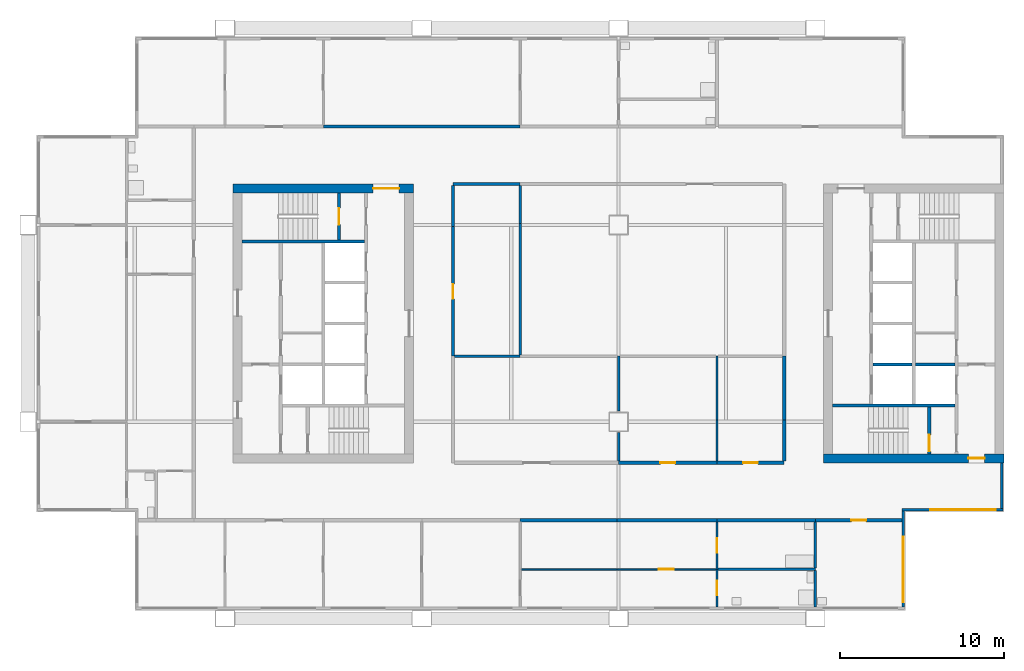
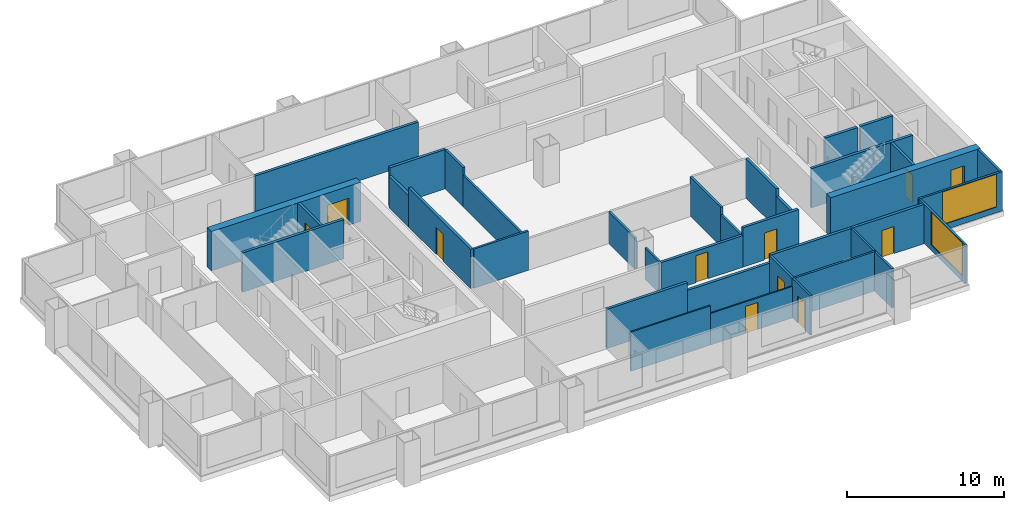
# One storey, part 4 of 8: 37 walls, 11 doors, 2 windows, 13 openings.
"""IFC4 building model written with IfcOpenShell, lengths in metres."""

from ifc_helpers import new_model, si_unit, direction, frame, frame_2d, origin, place, context, subcontext, project, spatial, rectangle, extrude, material, layer, layer_set, type_object, element, fill, save


model = new_model("IFC4")

# Units and contexts
model_context = context("Model", 3, precision=1e-05, world=origin(), true_north=direction((0.0, 1.0)))
body_context = subcontext(model_context, "Body", "Model", "MODEL_VIEW")
ifc_project = project(units=[si_unit("LENGTHUNIT", "METRE"), si_unit("AREAUNIT", "SQUARE_METRE"), si_unit("VOLUMEUNIT", "CUBIC_METRE"), si_unit("PLANEANGLEUNIT", "RADIAN"), si_unit("MASSUNIT", "GRAM", prefix="KILO")], contexts=[model_context])

# Site, building, storey
site_placement = place(None, origin())
site = spatial("IfcSite", under=ifc_project, at=site_placement, CompositionType="ELEMENT")
building_placement = place(site_placement, origin())
building = spatial("IfcBuilding", under=site, at=building_placement, Name="Kitamizu Gate Tower and Museum", CompositionType="ELEMENT")
storey_placement = place(building_placement, frame((0.0, 0.0, 189.300048828125)))
storey = spatial("IfcBuildingStorey", under=building, at=storey_placement, Name="L50", CompositionType="ELEMENT", Elevation=189.300048828125)

# Wall, opening, door
ifc_material_1 = material(Name="Concrete Fc42", Category="concrete")
ifc_layer_1 = layer(ifc_material_1, 0.550048828125)
ifc_layer_set_1 = layer_set([ifc_layer_1], Name="Concrete Fc42")
wall_type_1 = type_object("IfcWallType", Name="Core wall 550", PredefinedType="SHEAR", material=ifc_layer_set_1)
wall_1_placement = place(storey_placement, frame((12.5, 38.22509765625, 0.0), z_axis=(0.0, 0.0, 1.0), x_axis=(1.0, 0.0, 0.0)))
wall_1 = element("IfcWall", 1, at=wall_1_placement, inside=storey, type_object=wall_type_1, Name="Core wall WN", PredefinedType="SHEAR", context=body_context, shape_type="SweptSolid", body=[
    extrude(rectangle(XDim=11.0, YDim=0.550048828125, at=frame_2d((5.5, 0.0))), origin(), (0.0, 0.0, 1.0), 3.050048828125),
])
opening_1_placement = place(wall_1_placement, frame((8.52490234375, 0.0, 0.0)))
opening_1 = element("IfcOpeningElement", 2, at=opening_1_placement, cuts=wall_1, Name="Opening L50-037", PredefinedType="OPENING", context=body_context, shape_type="SweptSolid", body=[
    extrude(rectangle(XDim=1.60009765625, YDim=2.10009765625, at=frame_2d((0.800048828125, 1.050048828125))), frame((0.0, 0.28515625, 0.0), z_axis=(0.0, -1.0, 0.0), x_axis=(1.0, 0.0, 0.0)), (0.0, 0.0, 1.0), 0.570068359375),
])
ifc_material_2 = material(Name="Timber door set", Category="wood")
door_type_1 = type_object("IfcDoorType", Name="Entrance door 1600", OperationType="DOUBLE_DOOR_SINGLE_SWING", PredefinedType="DOOR", material=ifc_material_2)
door_1_placement = place(opening_1_placement, origin())
door_1 = element("IfcDoor", 3, at=door_1_placement, inside=storey, type_object=door_type_1, Name="Lobby door L50-037", OperationType="DOUBLE_DOOR_SINGLE_SWING", OverallHeight=2.10009765625, OverallWidth=1.60009765625, PredefinedType="DOOR", context=body_context, shape_type="SweptSolid", body=[
    extrude(rectangle(XDim=1.60009765625, YDim=2.10009765625, at=frame_2d((0.800048828125, 1.050048828125))), frame((0.0, 0.02490234375, 0.0), z_axis=(0.0, -1.0, 0.0), x_axis=(1.0, 0.0, 0.0)), (0.0, 0.0, 1.0), 0.050048828125),
])
fill(opening_1, door_1)

wall_2_placement = place(storey_placement, frame((59.5, 21.77490234375, 0.0), z_axis=(0.0, 0.0, 1.0), x_axis=(-1.0, 0.0, 0.0)))
wall_2 = element("IfcWall", 4, at=wall_2_placement, inside=storey, type_object=wall_type_1, Name="Core wall ES", PredefinedType="SHEAR", context=body_context, shape_type="SweptSolid", body=[
    extrude(rectangle(XDim=11.0, YDim=0.550048828125, at=frame_2d((5.5, 0.0))), origin(), (0.0, 0.0, 1.0), 3.050048828125),
])
opening_2_placement = place(wall_2_placement, frame((1.175048828125, 0.0, 0.0)))
opening_2 = element("IfcOpeningElement", 5, at=opening_2_placement, cuts=wall_2, Name="Opening L50-046", PredefinedType="OPENING", context=body_context, shape_type="SweptSolid", body=[
    extrude(rectangle(XDim=1.0, YDim=2.10009765625, at=frame_2d((0.5, 1.050048828125))), frame((0.0, 0.28515625, 0.0), z_axis=(0.0, -1.0, 0.0), x_axis=(1.0, 0.0, 0.0)), (0.0, 0.0, 1.0), 0.570068359375),
])
ifc_material_3 = material(Name="Hollow metal door set")
door_type_2 = type_object("IfcDoorType", Name="Fire door 1000", OperationType="NOTDEFINED", PredefinedType="DOOR", material=ifc_material_3)
door_2_placement = place(opening_2_placement, frame((1.0, 0.0, 0.0), x_axis=(-1.0, 0.0, 0.0)))
door_2 = element("IfcDoor", 6, at=door_2_placement, inside=storey, type_object=door_type_2, Name="Fire-fighting lobby door L50-046", OperationType="SINGLE_SWING_LEFT", OverallHeight=2.10009765625, OverallWidth=1.0, PredefinedType="DOOR", context=body_context, shape_type="SweptSolid", body=[
    extrude(rectangle(XDim=1.0, YDim=2.10009765625, at=frame_2d((0.5, 1.050048828125))), frame((0.0, 0.02490234375, 0.0), z_axis=(0.0, -1.0, 0.0), x_axis=(1.0, 0.0, 0.0)), (0.0, 0.0, 1.0), 0.050048828125),
])
fill(opening_2, door_2)

ifc_material_4 = material(Name="Gypsum board on galvanised stud")
ifc_layer_2 = layer(ifc_material_4, 0.10009765625)
ifc_layer_set_2 = layer_set([ifc_layer_2], Name="Gypsum board on galvanised stud")
wall_type_2 = type_object("IfcWallType", Name="Partition 100 NOT RATED", PredefinedType="PARTITIONING", material=ifc_layer_set_2)
wall_3_placement = place(storey_placement, frame((41.925048828125, 15.0, 0.0), z_axis=(0.0, 0.0, 1.0), x_axis=(-1.0, 0.0, 0.0)))
wall_3 = element("IfcWall", 7, at=wall_3_placement, inside=storey, type_object=wall_type_2, Name="Partition L50-012", PredefinedType="PARTITIONING", context=body_context, shape_type="SweptSolid", body=[
    extrude(rectangle(XDim=6.025146484375, YDim=0.10009765625, at=frame_2d((3.0126953125, 0.0))), origin(), (0.0, 0.0, 1.0), 2.449951171875),
])
opening_3_placement = place(wall_3_placement, frame((2.5625, 0.0, 0.0)))
opening_3 = element("IfcOpeningElement", 8, at=opening_3_placement, cuts=wall_3, Name="Opening L50-006", PredefinedType="OPENING", context=body_context, shape_type="SweptSolid", body=[
    extrude(rectangle(XDim=0.89990234375, YDim=2.10009765625, at=frame_2d((0.449951171875, 1.050048828125))), frame((0.0, 0.06005859375, 0.0), z_axis=(0.0, -1.0, 0.0), x_axis=(1.0, 0.0, 0.0)), (0.0, 0.0, 1.0), 0.1201171875),
])
ifc_material_5 = material(Name="Timber door set", Category="wood")
door_type_3 = type_object("IfcDoorType", Name="Room door 900", OperationType="NOTDEFINED", PredefinedType="DOOR", material=ifc_material_5)
door_3_placement = place(opening_3_placement, origin())
door_3 = element("IfcDoor", 9, at=door_3_placement, inside=storey, type_object=door_type_3, Name="Door L50-006", OperationType="SINGLE_SWING_LEFT", OverallHeight=2.10009765625, OverallWidth=0.89990234375, PredefinedType="DOOR", context=body_context, shape_type="SweptSolid", body=[
    extrude(rectangle(XDim=0.89990234375, YDim=2.10009765625, at=frame_2d((0.449951171875, 1.050048828125))), frame((0.0, 0.02490234375, 0.0), z_axis=(0.0, -1.0, 0.0), x_axis=(1.0, 0.0, 0.0)), (0.0, 0.0, 1.0), 0.050048828125),
])
fill(opening_3, door_3)

# Wall
wall_4_placement = place(storey_placement, frame((35.89990234375, 15.0, 0.0), z_axis=(0.0, 0.0, 1.0), x_axis=(-1.0, 0.0, 0.0)))
element("IfcWall", 10, at=wall_4_placement, inside=storey, type_object=wall_type_2, Name="Partition L50-013", PredefinedType="PARTITIONING", context=body_context, shape_type="SweptSolid", body=[
    extrude(rectangle(XDim=5.849853515625, YDim=0.10009765625, at=frame_2d((2.9248046875, 0.0))), origin(), (0.0, 0.0, 1.0), 3.050048828125),
])

# Wall, opening, door
ifc_material_6 = material(Name="Gypsum board on galvanised stud")
ifc_layer_3 = layer(ifc_material_6, 0.14990234375)
ifc_layer_set_3 = layer_set([ifc_layer_3], Name="Gypsum board on galvanised stud")
wall_type_3 = type_object("IfcWallType", Name="Partition 150", PredefinedType="PARTITIONING", material=ifc_layer_set_3)
wall_5_placement = place(storey_placement, frame((42.0, 12.719970703125, 0.0), z_axis=(0.0, 0.0, 1.0), x_axis=(0.0, 1.0, 0.0)))
wall_5 = element("IfcWall", 11, at=wall_5_placement, inside=storey, type_object=wall_type_3, Name="Partition L50-014", PredefinedType="PARTITIONING", context=body_context, shape_type="SweptSolid", body=[
    extrude(rectangle(XDim=2.280029296875, YDim=0.14990234375, at=frame_2d((1.14013671875, 0.0))), origin(), (0.0, 0.0, 1.0), 3.050048828125),
])
opening_4_placement = place(wall_5_placement, frame((0.68994140625, 0.0, 0.0)))
opening_4 = element("IfcOpeningElement", 12, at=opening_4_placement, cuts=wall_5, Name="Opening L50-007", PredefinedType="OPENING", context=body_context, shape_type="SweptSolid", body=[
    extrude(rectangle(XDim=0.89990234375, YDim=2.10009765625, at=frame_2d((0.449951171875, 1.050048828125))), frame((0.0, 0.0849609375, 0.0), z_axis=(0.0, -1.0, 0.0), x_axis=(1.0, 0.0, 0.0)), (0.0, 0.0, 1.0), 0.169921875),
])
ifc_material_7 = material(Name="Timber door set", Category="wood")
door_type_4 = type_object("IfcDoorType", Name="Bathroom door 900", OperationType="NOTDEFINED", PredefinedType="DOOR", material=ifc_material_7)
door_4_placement = place(opening_4_placement, frame((0.89990234375, 0.0, 0.0), x_axis=(-1.0, 0.0, 0.0)))
door_4 = element("IfcDoor", 13, at=door_4_placement, inside=storey, type_object=door_type_4, Name="Bathroom door L50-007", OperationType="SINGLE_SWING_LEFT", OverallHeight=2.10009765625, OverallWidth=0.89990234375, PredefinedType="DOOR", context=body_context, shape_type="SweptSolid", body=[
    extrude(rectangle(XDim=0.89990234375, YDim=2.10009765625, at=frame_2d((0.449951171875, 1.050048828125))), frame((0.0, 0.02490234375, 0.0), z_axis=(0.0, -1.0, 0.0), x_axis=(1.0, 0.0, 0.0)), (0.0, 0.0, 1.0), 0.050048828125),
])
fill(opening_4, door_4)

wall_6_placement = place(storey_placement, frame((42.0, 15.0, 0.0), z_axis=(0.0, 0.0, 1.0), x_axis=(0.0, 1.0, 0.0)))
wall_6 = element("IfcWall", 14, at=wall_6_placement, inside=storey, type_object=wall_type_3, Name="Partition L50-015", PredefinedType="PARTITIONING", context=body_context, shape_type="SweptSolid", body=[
    extrude(rectangle(XDim=2.89990234375, YDim=0.14990234375, at=frame_2d((1.449951171875, 0.0))), origin(), (0.0, 0.0, 1.0), 3.050048828125),
])
opening_5_placement = place(wall_6_placement, frame((1.0, 0.0, 0.0)))
opening_5 = element("IfcOpeningElement", 15, at=opening_5_placement, cuts=wall_6, Name="Opening L50-008", PredefinedType="OPENING", context=body_context, shape_type="SweptSolid", body=[
    extrude(rectangle(XDim=0.89990234375, YDim=2.10009765625, at=frame_2d((0.449951171875, 1.050048828125))), frame((0.0, 0.0849609375, 0.0), z_axis=(0.0, -1.0, 0.0), x_axis=(1.0, 0.0, 0.0)), (0.0, 0.0, 1.0), 0.169921875),
])
door_5_placement = place(opening_5_placement, frame((0.89990234375, 0.0, 0.0), x_axis=(-1.0, 0.0, 0.0)))
door_5 = element("IfcDoor", 16, at=door_5_placement, inside=storey, type_object=door_type_4, Name="Bathroom door L50-008", OperationType="SINGLE_SWING_RIGHT", OverallHeight=2.10009765625, OverallWidth=0.89990234375, PredefinedType="DOOR", context=body_context, shape_type="SweptSolid", body=[
    extrude(rectangle(XDim=0.89990234375, YDim=2.10009765625, at=frame_2d((0.449951171875, 1.050048828125))), frame((0.0, 0.02490234375, 0.0), z_axis=(0.0, -1.0, 0.0), x_axis=(1.0, 0.0, 0.0)), (0.0, 0.0, 1.0), 0.050048828125),
])
fill(opening_5, door_5)

# Walls
wall_7_placement = place(storey_placement, frame((48.0, 15.0, 0.0), z_axis=(0.0, 0.0, 1.0), x_axis=(-1.0, 0.0, 0.0)))
element("IfcWall", 17, at=wall_7_placement, inside=storey, type_object=wall_type_3, Name="Partition L50-018", PredefinedType="PARTITIONING", context=body_context, shape_type="SweptSolid", body=[
    extrude(rectangle(XDim=5.925048828125, YDim=0.14990234375, at=frame_2d((2.96240234375, 0.0))), origin(), (0.0, 0.0, 1.0), 3.050048828125),
])
wall_8_placement = place(storey_placement, frame((48.0, 12.719970703125, 0.0), z_axis=(0.0, 0.0, 1.0), x_axis=(0.0, 1.0, 0.0)))
element("IfcWall", 18, at=wall_8_placement, inside=storey, type_object=wall_type_3, Name="Partition L50-019", PredefinedType="PARTITIONING", context=body_context, shape_type="SweptSolid", body=[
    extrude(rectangle(XDim=2.205078125, YDim=0.14990234375, at=frame_2d((1.1025390625, 0.0))), origin(), (0.0, 0.0, 1.0), 3.050048828125),
])
wall_9_placement = place(storey_placement, frame((48.0, 15.074951171875, 0.0), z_axis=(0.0, 0.0, 1.0), x_axis=(0.0, 1.0, 0.0)))
element("IfcWall", 19, at=wall_9_placement, inside=storey, type_object=wall_type_3, Name="Partition L50-020", PredefinedType="PARTITIONING", context=body_context, shape_type="SweptSolid", body=[
    extrude(rectangle(XDim=2.824951171875, YDim=0.14990234375, at=frame_2d((1.41259765625, 0.0))), origin(), (0.0, 0.0, 1.0), 3.050048828125),
])
wall_10_placement = place(storey_placement, frame((36.0, 21.60009765625, 0.0), z_axis=(0.0, 0.0, 1.0), x_axis=(0.0, 1.0, 0.0)))
element("IfcWall", 20, at=wall_10_placement, inside=storey, type_object=wall_type_3, Name="Partition L50-071", PredefinedType="PARTITIONING", context=body_context, shape_type="SweptSolid", body=[
    extrude(rectangle(XDim=1.75, YDim=0.14990234375, at=frame_2d((0.875, 0.0))), origin(), (0.0, 0.0, 1.0), 2.449951171875),
])
wall_11_placement = place(storey_placement, frame((36.0, 24.64990234375, 0.0), z_axis=(0.0, 0.0, 1.0), x_axis=(0.0, 1.0, 0.0)))
element("IfcWall", 21, at=wall_11_placement, inside=storey, type_object=wall_type_3, Name="Partition L50-072", PredefinedType="PARTITIONING", context=body_context, shape_type="SweptSolid", body=[
    extrude(rectangle(XDim=3.35009765625, YDim=0.14990234375, at=frame_2d((1.675048828125, 0.0))), origin(), (0.0, 0.0, 1.0), 2.449951171875),
])
wall_12_placement = place(storey_placement, frame((30.0, 28.0, 0.0), z_axis=(0.0, 0.0, 1.0), x_axis=(-1.0, 0.0, 0.0)))
element("IfcWall", 22, at=wall_12_placement, inside=storey, type_object=wall_type_3, Name="Partition L50-073", PredefinedType="PARTITIONING", context=body_context, shape_type="SweptSolid", body=[
    extrude(rectangle(XDim=4.0, YDim=0.14990234375, at=frame_2d((2.0, 0.0))), origin(), (0.0, 0.0, 1.0), 3.050048828125),
])
wall_13_placement = place(storey_placement, frame((42.0, 21.60009765625, 0.0), z_axis=(0.0, 0.0, 1.0), x_axis=(0.0, 1.0, 0.0)))
element("IfcWall", 23, at=wall_13_placement, inside=storey, type_object=wall_type_3, Name="Partition L50-075", PredefinedType="PARTITIONING", context=body_context, shape_type="SweptSolid", body=[
    extrude(rectangle(XDim=2.5, YDim=0.14990234375, at=frame_2d((1.25, 0.0))), origin(), (0.0, 0.0, 1.0), 2.449951171875),
])
wall_14_placement = place(storey_placement, frame((42.0, 24.10009765625, 0.0), z_axis=(0.0, 0.0, 1.0), x_axis=(0.0, 1.0, 0.0)))
element("IfcWall", 24, at=wall_14_placement, inside=storey, type_object=wall_type_3, Name="Partition L50-076", PredefinedType="PARTITIONING", context=body_context, shape_type="SweptSolid", body=[
    extrude(rectangle(XDim=3.89990234375, YDim=0.14990234375, at=frame_2d((1.949951171875, 0.0))), origin(), (0.0, 0.0, 1.0), 3.050048828125),
])
wall_15_placement = place(storey_placement, frame((30.0, 28.074951171875, 0.0), z_axis=(0.0, 0.0, 1.0), x_axis=(0.0, 1.0, 0.0)))
element("IfcWall", 25, at=wall_15_placement, inside=storey, type_object=wall_type_3, Name="Partition L50-079", PredefinedType="PARTITIONING", context=body_context, shape_type="SweptSolid", body=[
    extrude(rectangle(XDim=8.025146484375, YDim=0.14990234375, at=frame_2d((4.0126953125, 0.0))), origin(), (0.0, 0.0, 1.0), 2.449951171875),
])
wall_16_placement = place(storey_placement, frame((30.0, 36.10009765625, 0.0), z_axis=(0.0, 0.0, 1.0), x_axis=(0.0, 1.0, 0.0)))
element("IfcWall", 26, at=wall_16_placement, inside=storey, type_object=wall_type_3, Name="Partition L50-080", PredefinedType="PARTITIONING", context=body_context, shape_type="SweptSolid", body=[
    extrude(rectangle(XDim=2.2998046875, YDim=0.14990234375, at=frame_2d((1.14990234375, 0.0))), origin(), (0.0, 0.0, 1.0), 3.050048828125),
])
ifc_material_8 = material(Name="Gypsum board on galvanised stud")
ifc_layer_4 = layer(ifc_material_8, 0.199951171875)
ifc_layer_set_4 = layer_set([ifc_layer_4], Name="Gypsum board on galvanised stud")
wall_type_4 = type_object("IfcWallType", Name="Partition 200", PredefinedType="PARTITIONING", material=ifc_layer_set_4)
wall_17_placement = place(storey_placement, frame((42.0, 18.0, 0.0), z_axis=(0.0, 0.0, 1.0), x_axis=(-1.0, 0.0, 0.0)))
element("IfcWall", 27, at=wall_17_placement, inside=storey, type_object=wall_type_4, Name="Partition L50-016", PredefinedType="PARTITIONING", context=body_context, shape_type="SweptSolid", body=[
    extrude(rectangle(XDim=6.10009765625, YDim=0.199951171875, at=frame_2d((3.050048828125, 0.0))), origin(), (0.0, 0.0, 1.0), 2.449951171875),
])
wall_18_placement = place(storey_placement, frame((35.89990234375, 18.0, 0.0), z_axis=(0.0, 0.0, 1.0), x_axis=(-1.0, 0.0, 0.0)))
element("IfcWall", 28, at=wall_18_placement, inside=storey, type_object=wall_type_4, Name="Partition L50-017", PredefinedType="PARTITIONING", context=body_context, shape_type="SweptSolid", body=[
    extrude(rectangle(XDim=5.89990234375, YDim=0.199951171875, at=frame_2d((2.949951171875, 0.0))), origin(), (0.0, 0.0, 1.0), 3.050048828125),
])
wall_19_placement = place(storey_placement, frame((48.0, 18.0, 0.0), z_axis=(0.0, 0.0, 1.0), x_axis=(-1.0, 0.0, 0.0)))
element("IfcWall", 29, at=wall_19_placement, inside=storey, type_object=wall_type_4, Name="Partition L50-021", PredefinedType="PARTITIONING", context=body_context, shape_type="SweptSolid", body=[
    extrude(rectangle(XDim=6.0, YDim=0.199951171875, at=frame_2d((3.0, 0.0))), origin(), (0.0, 0.0, 1.0), 3.050048828125),
])

# Wall, opening, door
wall_20_placement = place(storey_placement, frame((53.280029296875, 18.0, 0.0), z_axis=(0.0, 0.0, 1.0), x_axis=(-1.0, 0.0, 0.0)))
wall_20 = element("IfcWall", 30, at=wall_20_placement, inside=storey, type_object=wall_type_4, Name="Partition L50-022", PredefinedType="PARTITIONING", context=body_context, shape_type="SweptSolid", body=[
    extrude(rectangle(XDim=5.280029296875, YDim=0.199951171875, at=frame_2d((2.64013671875, 0.0))), origin(), (0.0, 0.0, 1.0), 3.050048828125),
])
opening_6_placement = place(wall_20_placement, frame((2.18994140625, 0.0, 0.0)))
opening_6 = element("IfcOpeningElement", 31, at=opening_6_placement, cuts=wall_20, Name="Opening L50-009", PredefinedType="OPENING", context=body_context, shape_type="SweptSolid", body=[
    extrude(rectangle(XDim=0.89990234375, YDim=2.10009765625, at=frame_2d((0.449951171875, 1.050048828125))), frame((0.0, 0.10986328125, 0.0), z_axis=(0.0, -1.0, 0.0), x_axis=(1.0, 0.0, 0.0)), (0.0, 0.0, 1.0), 0.219970703125),
])
ifc_material_9 = material(Name="Timber door set", Category="wood")
door_type_5 = type_object("IfcDoorType", Name="Store door 900", OperationType="NOTDEFINED", PredefinedType="DOOR", material=ifc_material_9)
door_6_placement = place(opening_6_placement, origin())
door_6 = element("IfcDoor", 32, at=door_6_placement, inside=storey, type_object=door_type_5, Name="Service entrance door L50-009", OperationType="SINGLE_SWING_RIGHT", OverallHeight=2.10009765625, OverallWidth=0.89990234375, PredefinedType="DOOR", context=body_context, shape_type="SweptSolid", body=[
    extrude(rectangle(XDim=0.89990234375, YDim=2.10009765625, at=frame_2d((0.449951171875, 1.050048828125))), frame((0.0, 0.02490234375, 0.0), z_axis=(0.0, -1.0, 0.0), x_axis=(1.0, 0.0, 0.0)), (0.0, 0.0, 1.0), 0.050048828125),
])
fill(opening_6, door_6)

# Wall
wall_21_placement = place(storey_placement, frame((18.0, 42.0, 0.0), z_axis=(0.0, 0.0, 1.0), x_axis=(1.0, 0.0, 0.0)))
element("IfcWall", 33, at=wall_21_placement, inside=storey, type_object=wall_type_4, Name="Partition L50-029", PredefinedType="PARTITIONING", context=body_context, shape_type="SweptSolid", body=[
    extrude(rectangle(XDim=12.0, YDim=0.199951171875, at=frame_2d((6.0, 0.0))), origin(), (0.0, 0.0, 1.0), 3.050048828125),
])

# Wall, opening, door
wall_22_placement = place(storey_placement, frame((36.0, 21.5, 0.0), z_axis=(0.0, 0.0, 1.0), x_axis=(1.0, 0.0, 0.0)))
wall_22 = element("IfcWall", 34, at=wall_22_placement, inside=storey, type_object=wall_type_4, Name="Partition L50-060", PredefinedType="PARTITIONING", context=body_context, shape_type="SweptSolid", body=[
    extrude(rectangle(XDim=6.0, YDim=0.199951171875, at=frame_2d((3.0, 0.0))), origin(), (0.0, 0.0, 1.0), 2.449951171875),
])
opening_7_placement = place(wall_22_placement, frame((2.550048828125, 0.0, 0.0)))
opening_7 = element("IfcOpeningElement", 35, at=opening_7_placement, cuts=wall_22, Name="Opening L50-026", PredefinedType="OPENING", context=body_context, shape_type="SweptSolid", body=[
    extrude(rectangle(XDim=0.89990234375, YDim=2.10009765625, at=frame_2d((0.449951171875, 1.050048828125))), frame((0.0, 0.10986328125, 0.0), z_axis=(0.0, -1.0, 0.0), x_axis=(1.0, 0.0, 0.0)), (0.0, 0.0, 1.0), 0.219970703125),
])
door_7_placement = place(opening_7_placement, origin())
door_7 = element("IfcDoor", 36, at=door_7_placement, inside=storey, type_object=door_type_3, Name="Door L50-026", OperationType="SINGLE_SWING_RIGHT", OverallHeight=2.10009765625, OverallWidth=0.89990234375, PredefinedType="DOOR", context=body_context, shape_type="SweptSolid", body=[
    extrude(rectangle(XDim=0.89990234375, YDim=2.10009765625, at=frame_2d((0.449951171875, 1.050048828125))), frame((0.0, 0.02490234375, 0.0), z_axis=(0.0, -1.0, 0.0), x_axis=(1.0, 0.0, 0.0)), (0.0, 0.0, 1.0), 0.050048828125),
])
fill(opening_7, door_7)

wall_23_placement = place(storey_placement, frame((42.0, 21.5, 0.0), z_axis=(0.0, 0.0, 1.0), x_axis=(1.0, 0.0, 0.0)))
wall_23 = element("IfcWall", 37, at=wall_23_placement, inside=storey, type_object=wall_type_4, Name="Partition L50-061", PredefinedType="PARTITIONING", context=body_context, shape_type="SweptSolid", body=[
    extrude(rectangle(XDim=4.10009765625, YDim=0.199951171875, at=frame_2d((2.050048828125, 0.0))), origin(), (0.0, 0.0, 1.0), 3.050048828125),
])
opening_8_placement = place(wall_23_placement, frame((1.60009765625, 0.0, 0.0)))
opening_8 = element("IfcOpeningElement", 38, at=opening_8_placement, cuts=wall_23, Name="Opening L50-027", PredefinedType="OPENING", context=body_context, shape_type="SweptSolid", body=[
    extrude(rectangle(XDim=0.89990234375, YDim=2.10009765625, at=frame_2d((0.449951171875, 1.050048828125))), frame((0.0, 0.10986328125, 0.0), z_axis=(0.0, -1.0, 0.0), x_axis=(1.0, 0.0, 0.0)), (0.0, 0.0, 1.0), 0.219970703125),
])
door_8_placement = place(opening_8_placement, origin())
door_8 = element("IfcDoor", 39, at=door_8_placement, inside=storey, type_object=door_type_3, Name="Door L50-027", OperationType="SINGLE_SWING_LEFT", OverallHeight=2.10009765625, OverallWidth=0.89990234375, PredefinedType="DOOR", context=body_context, shape_type="SweptSolid", body=[
    extrude(rectangle(XDim=0.89990234375, YDim=2.10009765625, at=frame_2d((0.449951171875, 1.050048828125))), frame((0.0, 0.02490234375, 0.0), z_axis=(0.0, -1.0, 0.0), x_axis=(1.0, 0.0, 0.0)), (0.0, 0.0, 1.0), 0.050048828125),
])
fill(opening_8, door_8)

# Walls
wall_24_placement = place(storey_placement, frame((46.10009765625, 21.60009765625, 0.0), z_axis=(0.0, 0.0, 1.0), x_axis=(0.0, 1.0, 0.0)))
element("IfcWall", 40, at=wall_24_placement, inside=storey, type_object=wall_type_4, Name="Partition L50-062", PredefinedType="PARTITIONING", context=body_context, shape_type="SweptSolid", body=[
    extrude(rectangle(XDim=2.5, YDim=0.199951171875, at=frame_2d((1.25, 0.0))), origin(), (0.0, 0.0, 1.0), 2.449951171875),
])
wall_25_placement = place(storey_placement, frame((46.10009765625, 24.10009765625, 0.0), z_axis=(0.0, 0.0, 1.0), x_axis=(0.0, 1.0, 0.0)))
element("IfcWall", 41, at=wall_25_placement, inside=storey, type_object=wall_type_4, Name="Partition L50-063", PredefinedType="PARTITIONING", context=body_context, shape_type="SweptSolid", body=[
    extrude(rectangle(XDim=3.89990234375, YDim=0.199951171875, at=frame_2d((1.949951171875, 0.0))), origin(), (0.0, 0.0, 1.0), 3.050048828125),
])
wall_26_placement = place(storey_placement, frame((30.0, 38.5, 0.0), z_axis=(0.0, 0.0, 1.0), x_axis=(-1.0, 0.0, 0.0)))
element("IfcWall", 42, at=wall_26_placement, inside=storey, type_object=wall_type_4, Name="Partition L50-064", PredefinedType="PARTITIONING", context=body_context, shape_type="SweptSolid", body=[
    extrude(rectangle(XDim=4.10009765625, YDim=0.199951171875, at=frame_2d((2.050048828125, 0.0))), origin(), (0.0, 0.0, 1.0), 3.050048828125),
])
wall_27_placement = place(storey_placement, frame((25.89990234375, 38.39990234375, 0.0), z_axis=(0.0, 0.0, 1.0), x_axis=(0.0, -1.0, 0.0)))
element("IfcWall", 43, at=wall_27_placement, inside=storey, type_object=wall_type_4, Name="Partition L50-065", PredefinedType="PARTITIONING", context=body_context, shape_type="SweptSolid", body=[
    extrude(rectangle(XDim=2.5, YDim=0.199951171875, at=frame_2d((1.25, 0.0))), origin(), (0.0, 0.0, 1.0), 2.449951171875),
])

# Wall, opening, door
wall_28_placement = place(storey_placement, frame((25.89990234375, 35.89990234375, 0.0), z_axis=(0.0, 0.0, 1.0), x_axis=(0.0, -1.0, 0.0)))
wall_28 = element("IfcWall", 44, at=wall_28_placement, inside=storey, type_object=wall_type_4, Name="Partition L50-066", PredefinedType="PARTITIONING", context=body_context, shape_type="SweptSolid", body=[
    extrude(rectangle(XDim=7.89990234375, YDim=0.199951171875, at=frame_2d((3.949951171875, 0.0))), origin(), (0.0, 0.0, 1.0), 3.050048828125),
])
opening_9_placement = place(wall_28_placement, frame((3.5, 0.0, 0.0)))
opening_9 = element("IfcOpeningElement", 45, at=opening_9_placement, cuts=wall_28, Name="Opening L50-028", PredefinedType="OPENING", context=body_context, shape_type="SweptSolid", body=[
    extrude(rectangle(XDim=0.89990234375, YDim=2.10009765625, at=frame_2d((0.449951171875, 1.050048828125))), frame((0.0, 0.10986328125, 0.0), z_axis=(0.0, -1.0, 0.0), x_axis=(1.0, 0.0, 0.0)), (0.0, 0.0, 1.0), 0.219970703125),
])
door_9_placement = place(opening_9_placement, origin())
door_9 = element("IfcDoor", 46, at=door_9_placement, inside=storey, type_object=door_type_3, Name="Door L50-028", OperationType="SINGLE_SWING_RIGHT", OverallHeight=2.10009765625, OverallWidth=0.89990234375, PredefinedType="DOOR", context=body_context, shape_type="SweptSolid", body=[
    extrude(rectangle(XDim=0.89990234375, YDim=2.10009765625, at=frame_2d((0.449951171875, 1.050048828125))), frame((0.0, 0.02490234375, 0.0), z_axis=(0.0, -1.0, 0.0), x_axis=(1.0, 0.0, 0.0)), (0.0, 0.0, 1.0), 0.050048828125),
])
fill(opening_9, door_9)

# Wall
ifc_material_10 = material(Name="Concrete Fc42", Category="concrete")
ifc_layer_5 = layer(ifc_material_10, 0.199951171875)
ifc_layer_set_5 = layer_set([ifc_layer_5], Name="Concrete Fc42")
wall_type_5 = type_object("IfcWallType", Name="Shaft wall 200", PredefinedType="SOLIDWALL", material=ifc_layer_set_5)
wall_29_placement = place(storey_placement, frame((13.050048828125, 35.0, 0.0), z_axis=(0.0, 0.0, 1.0), x_axis=(1.0, 0.0, 0.0)))
element("IfcWall", 47, at=wall_29_placement, inside=storey, type_object=wall_type_5, Name="Shaft wall WNB", PredefinedType="SOLIDWALL", context=body_context, shape_type="SweptSolid", body=[
    extrude(rectangle(XDim=7.449951171875, YDim=0.199951171875, at=frame_2d((3.72509765625, 0.0))), origin(), (0.0, 0.0, 1.0), 3.050048828125),
])

# Wall, opening, door
wall_30_placement = place(storey_placement, frame((18.949951171875, 35.10009765625, 0.0), z_axis=(0.0, 0.0, 1.0), x_axis=(0.0, 1.0, 0.0)))
wall_30 = element("IfcWall", 48, at=wall_30_placement, inside=storey, type_object=wall_type_5, Name="Shaft wall WNZ", PredefinedType="SOLIDWALL", context=body_context, shape_type="SweptSolid", body=[
    extrude(rectangle(XDim=2.849853515625, YDim=0.199951171875, at=frame_2d((1.4248046875, 0.0))), origin(), (0.0, 0.0, 1.0), 3.050048828125),
])
opening_10_placement = place(wall_30_placement, frame((0.925048828125, 0.0, 0.0)))
opening_10 = element("IfcOpeningElement", 49, at=opening_10_placement, cuts=wall_30, Name="Opening L50-033", PredefinedType="OPENING", context=body_context, shape_type="SweptSolid", body=[
    extrude(rectangle(XDim=1.0, YDim=2.10009765625, at=frame_2d((0.5, 1.050048828125))), frame((0.0, 0.10986328125, 0.0), z_axis=(0.0, -1.0, 0.0), x_axis=(1.0, 0.0, 0.0)), (0.0, 0.0, 1.0), 0.219970703125),
])
door_10_placement = place(opening_10_placement, origin())
door_10 = element("IfcDoor", 50, at=door_10_placement, inside=storey, type_object=door_type_2, Name="Stair door L50-033", OperationType="SINGLE_SWING_RIGHT", OverallHeight=2.10009765625, OverallWidth=1.0, PredefinedType="DOOR", context=body_context, shape_type="SweptSolid", body=[
    extrude(rectangle(XDim=1.0, YDim=2.10009765625, at=frame_2d((0.5, 1.050048828125))), frame((0.0, 0.02490234375, 0.0), z_axis=(0.0, -1.0, 0.0), x_axis=(1.0, 0.0, 0.0)), (0.0, 0.0, 1.0), 0.050048828125),
])
fill(opening_10, door_10)

# Wall
wall_31_placement = place(storey_placement, frame((56.5, 25.0, 0.0), z_axis=(0.0, 0.0, 1.0), x_axis=(-1.0, 0.0, 0.0)))
element("IfcWall", 51, at=wall_31_placement, inside=storey, type_object=wall_type_5, Name="Shaft wall ESB", PredefinedType="SOLIDWALL", context=body_context, shape_type="SweptSolid", body=[
    extrude(rectangle(XDim=7.449951171875, YDim=0.199951171875, at=frame_2d((3.72509765625, 0.0))), origin(), (0.0, 0.0, 1.0), 3.050048828125),
])

# Wall, opening, door
wall_32_placement = place(storey_placement, frame((54.949951171875, 22.050048828125, 0.0), z_axis=(0.0, 0.0, 1.0), x_axis=(0.0, 1.0, 0.0)))
wall_32 = element("IfcWall", 52, at=wall_32_placement, inside=storey, type_object=wall_type_5, Name="Shaft wall ESZ", PredefinedType="SOLIDWALL", context=body_context, shape_type="SweptSolid", body=[
    extrude(rectangle(XDim=2.849853515625, YDim=0.199951171875, at=frame_2d((1.4248046875, 0.0))), origin(), (0.0, 0.0, 1.0), 3.050048828125),
])
opening_11_placement = place(wall_32_placement, frame((0.14990234375, 0.0, 0.0)))
opening_11 = element("IfcOpeningElement", 53, at=opening_11_placement, cuts=wall_32, Name="Opening L50-041", PredefinedType="OPENING", context=body_context, shape_type="SweptSolid", body=[
    extrude(rectangle(XDim=1.0, YDim=2.10009765625, at=frame_2d((0.5, 1.050048828125))), frame((0.0, 0.10986328125, 0.0), z_axis=(0.0, -1.0, 0.0), x_axis=(1.0, 0.0, 0.0)), (0.0, 0.0, 1.0), 0.219970703125),
])
door_11_placement = place(opening_11_placement, origin())
door_11 = element("IfcDoor", 54, at=door_11_placement, inside=storey, type_object=door_type_2, Name="Stair door L50-041", OperationType="SINGLE_SWING_RIGHT", OverallHeight=2.10009765625, OverallWidth=1.0, PredefinedType="DOOR", context=body_context, shape_type="SweptSolid", body=[
    extrude(rectangle(XDim=1.0, YDim=2.10009765625, at=frame_2d((0.5, 1.050048828125))), frame((0.0, 0.02490234375, 0.0), z_axis=(0.0, -1.0, 0.0), x_axis=(1.0, 0.0, 0.0)), (0.0, 0.0, 1.0), 0.050048828125),
])
fill(opening_11, door_11)

# Walls
for number, where, z_axis, x_axis, name in (
    (55, (56.5, 27.5, 0.0), (0.0, 0.0, 1.0), (-1.0, 0.0, 0.0), "Shaft wall EDVW0"),
    (56, (53.89990234375, 27.5, 0.0), (0.0, 0.0, 1.0), (-1.0, 0.0, 0.0), "Shaft wall EDVE0"),
):
    element("IfcWall", number, at=place(storey_placement, frame(where, z_axis=z_axis, x_axis=x_axis)), inside=storey, type_object=wall_type_5, Name=name, PredefinedType="SOLIDWALL", context=body_context, shape_type="SweptSolid", body=[
        extrude(rectangle(XDim=2.39990234375, YDim=0.199951171875, at=frame_2d((1.199951171875, 0.0))), origin(), (0.0, 0.0, 1.0), 3.050048828125),
    ])

# Wall, opening, window
ifc_material_11 = material(Name="Bronze anodised aluminium frame with insulated spandrel and tinted glass", Category="aluminium")
ifc_layer_6 = layer(ifc_material_11, 0.14990234375)
ifc_layer_set_6 = layer_set([ifc_layer_6], Name="Bronze anodised aluminium frame with insulated spandrel and tinted glass")
wall_type_6 = type_object("IfcWallType", Name="WINDOW WALL 150 BRONZE FRAME EI 30", PredefinedType="ELEMENTEDWALL", material=ifc_layer_set_6)
wall_33_placement = place(storey_placement, frame((53.364990234375, 12.7099609375, 0.0), z_axis=(0.0, 0.0, 1.0), x_axis=(0.0, 1.0, 0.0)))
wall_33 = element("IfcWall", 57, at=wall_33_placement, inside=storey, type_object=wall_type_6, Name="Window wall east L50", PredefinedType="ELEMENTEDWALL", context=body_context, shape_type="SweptSolid", body=[
    extrude(rectangle(XDim=5.85009765625, YDim=0.14990234375, at=frame_2d((2.925048828125, 0.0))), origin(), (0.0, 0.0, 1.0), 3.050048828125),
])
opening_12_placement = place(wall_33_placement, frame((0.2900390625, 0.0, 0.449951171875)))
opening_12 = element("IfcOpeningElement", 58, at=opening_12_placement, cuts=wall_33, Name="Opening W16", PredefinedType="OPENING", context=body_context, shape_type="SweptSolid", body=[
    extrude(rectangle(XDim=4.0, YDim=2.550048828125, at=frame_2d((2.0, 1.27490234375))), frame((0.0, 0.0849609375, 0.0), z_axis=(0.0, -1.0, 0.0), x_axis=(1.0, 0.0, 0.0)), (0.0, 0.0, 1.0), 0.169921875),
])
ifc_material_12 = material(Name="Bronze anodised aluminium frame, tinted triple glazing", Category="aluminium")
window_type = type_object("IfcWindowType", Name="WINDOW 4000 x 2550 SILL 450", PartitioningType="SINGLE_PANEL", PredefinedType="WINDOW", material=ifc_material_12)
window_1_placement = place(opening_12_placement, origin())
window_1 = element("IfcWindow", 59, at=window_1_placement, inside=storey, type_object=window_type, Name="Window W16 L50", OverallHeight=2.550048828125, OverallWidth=4.0, PartitioningType="SINGLE_PANEL", PredefinedType="WINDOW", context=body_context, shape_type="SweptSolid", body=[
    extrude(rectangle(XDim=4.0, YDim=2.550048828125, at=frame_2d((2.0, 1.27490234375))), frame((0.0, 0.030029296875, 0.0), z_axis=(0.0, -1.0, 0.0), x_axis=(1.0, 0.0, 0.0)), (0.0, 0.0, 1.0), 0.06005859375),
])
fill(opening_12, window_1)

wall_34_placement = place(storey_placement, frame((53.2900390625, 18.635009765625, 0.0), z_axis=(0.0, 0.0, 1.0), x_axis=(1.0, 0.0, 0.0)))
wall_34 = element("IfcWall", 60, at=wall_34_placement, inside=storey, type_object=wall_type_6, Name="Window wall south L50", PredefinedType="ELEMENTEDWALL", context=body_context, shape_type="SweptSolid", body=[
    extrude(rectangle(XDim=6.14990234375, YDim=0.14990234375, at=frame_2d((3.074951171875, 0.0))), origin(), (0.0, 0.0, 1.0), 3.050048828125),
])
opening_13_placement = place(wall_34_placement, frame((1.7099609375, 0.0, 0.449951171875)))
opening_13 = element("IfcOpeningElement", 61, at=opening_13_placement, cuts=wall_34, Name="Opening W16", PredefinedType="OPENING", context=body_context, shape_type="SweptSolid", body=[
    extrude(rectangle(XDim=4.0, YDim=2.550048828125, at=frame_2d((2.0, 1.27490234375))), frame((0.0, 0.0849609375, 0.0), z_axis=(0.0, -1.0, 0.0), x_axis=(1.0, 0.0, 0.0)), (0.0, 0.0, 1.0), 0.169921875),
])
window_2_placement = place(opening_13_placement, origin())
window_2 = element("IfcWindow", 62, at=window_2_placement, inside=storey, type_object=window_type, Name="Window W16 L50", OverallHeight=2.550048828125, OverallWidth=4.0, PartitioningType="SINGLE_PANEL", PredefinedType="WINDOW", context=body_context, shape_type="SweptSolid", body=[
    extrude(rectangle(XDim=4.0, YDim=2.550048828125, at=frame_2d((2.0, 1.27490234375))), frame((0.0, 0.030029296875, 0.0), z_axis=(0.0, -1.0, 0.0), x_axis=(1.0, 0.0, 0.0)), (0.0, 0.0, 1.0), 0.06005859375),
])
fill(opening_13, window_2)

# Wall
wall_35_placement = place(storey_placement, frame((59.364990234375, 18.7099609375, 0.0), z_axis=(0.0, 0.0, 1.0), x_axis=(0.0, 1.0, 0.0)))
element("IfcWall", 63, at=wall_35_placement, inside=storey, type_object=wall_type_6, Name="Window wall east L50", PredefinedType="ELEMENTEDWALL", context=body_context, shape_type="SweptSolid", body=[
    extrude(rectangle(XDim=2.7900390625, YDim=0.14990234375, at=frame_2d((1.39501953125, 0.0))), origin(), (0.0, 0.0, 1.0), 3.050048828125),
])

save(model, "model.ifc")
